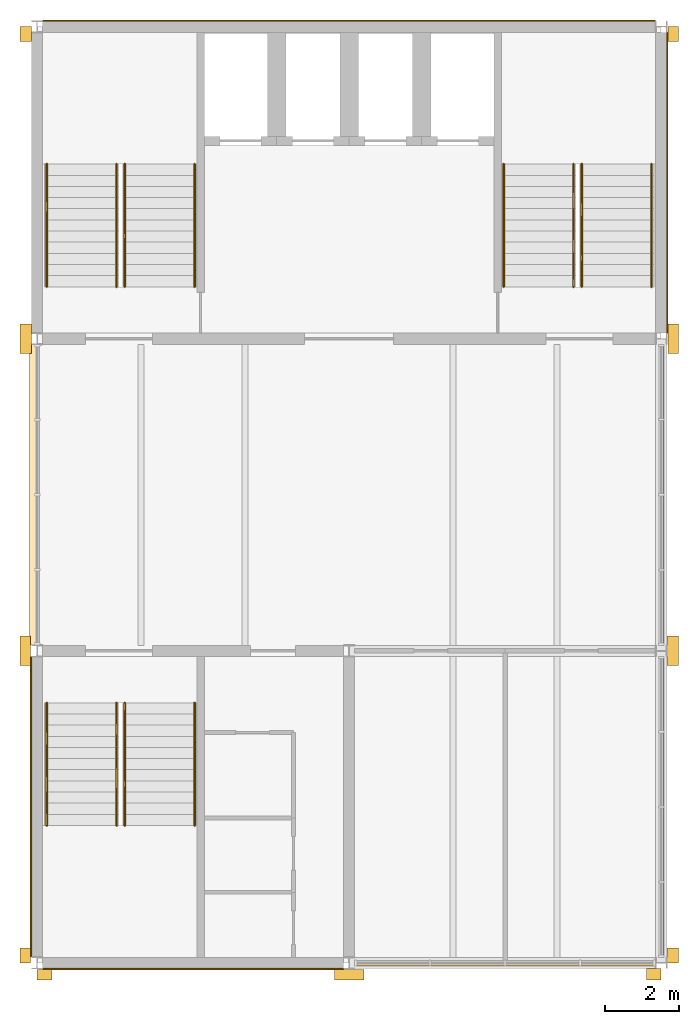
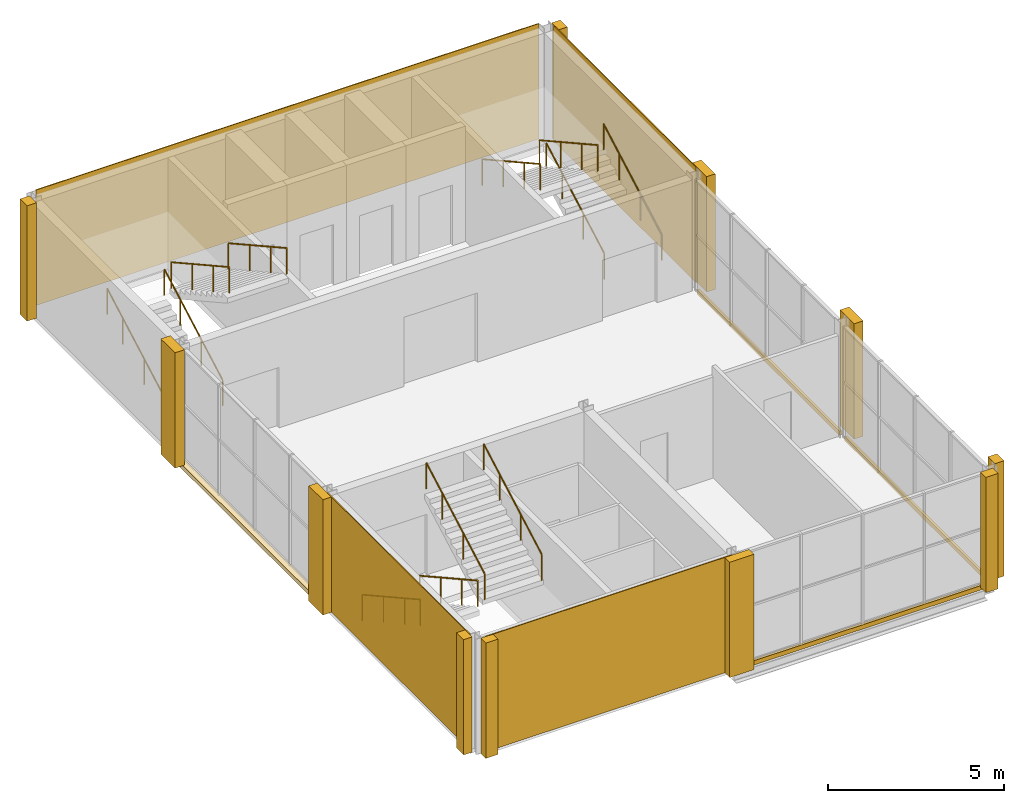
# One storey, part 5 of 5: 19 coverings, 12 railings.
"""IFC4 building model written with IfcOpenShell, lengths in metres."""

from ifc_helpers import new_model, si_unit, direction, frame, origin, origin_2d, place, context, subcontext, project, spatial, rectangle, circle, extrude, material, layer, layer_set, type_object, element, save


model = new_model("IFC4")

# Units and contexts
model_context = context("Model", 3, precision=1e-05, world=origin(), true_north=direction((0.0, 1.0)))
body_context = subcontext(model_context, "Body", "Model", "MODEL_VIEW")
ifc_project = project(units=[si_unit("LENGTHUNIT", "METRE"), si_unit("AREAUNIT", "SQUARE_METRE"), si_unit("VOLUMEUNIT", "CUBIC_METRE"), si_unit("PLANEANGLEUNIT", "RADIAN"), si_unit("MASSUNIT", "GRAM", prefix="KILO")], contexts=[model_context])

# Site, building, storey
site_placement = place(None, origin())
site = spatial("IfcSite", under=ifc_project, at=site_placement, CompositionType="ELEMENT")
building_placement = place(site_placement, origin())
building = spatial("IfcBuilding", under=site, at=building_placement, Name="Galleria Vessillo Department Store", CompositionType="ELEMENT")
storey_placement = place(building_placement, frame((0.0, 0.0, 63.60009765625)))
storey = spatial("IfcBuildingStorey", under=building, at=storey_placement, Name="L14", CompositionType="ELEMENT", Elevation=63.60009765625)

# Coverings
ifc_material_1 = material(Name="Lime plaster (intonaco) ochre")
ifc_layer_1 = layer(ifc_material_1, 0.030029296875)
ifc_layer_set_1 = layer_set([ifc_layer_1], Name="Lime plaster (intonaco) ochre")
covering_type_1 = type_object("IfcCoveringType", Name="Lime plaster render 30 mm", PredefinedType="CLADDING", material=ifc_layer_set_1)
covering_1_placement = place(storey_placement, frame((109.195068359375, 63.1650390625, 0.0), z_axis=(0.0, 0.0, 1.0), x_axis=(1.0, 0.0, 0.0)))
element("IfcCovering", 1, at=covering_1_placement, inside=storey, type_object=covering_type_1, Name="Wall cladding S-CW-TC-PARTY-L14", PredefinedType="CLADDING", context=body_context, shape_type="SweptSolid", body=[
    extrude(rectangle(XDim=16.489990234375, YDim=0.030029296875, at=origin_2d()), origin(), (0.0, 0.0, 1.0), 4.0),
])
ifc_material_2 = material(Name="Botticino limestone ashlar", Category="masonry")
ifc_layer_2 = layer(ifc_material_2, 0.14990234375)
ifc_layer_set_2 = layer_set([ifc_layer_2], Name="Botticino limestone ashlar")
covering_type_2 = type_object("IfcCoveringType", Name="Limestone slab-edge fascia 150 mm", PredefinedType="CLADDING", material=ifc_layer_set_2)
covering_2_placement = place(storey_placement, frame((100.699951171875, 50.39990234375, -0.14990234375), z_axis=(0.0, 0.0, 1.0), x_axis=(1.0, 0.0, 0.0)))
element("IfcCovering", 2, at=covering_2_placement, inside=storey, type_object=covering_type_2, Name="Slab-edge fascia TW-L13-01", PredefinedType="CLADDING", context=body_context, shape_type="SweptSolid", body=[
    extrude(rectangle(XDim=0.199951171875, YDim=8.080078125, at=origin_2d()), origin(), (0.0, 0.0, 1.0), 0.14990234375),
])
covering_3_placement = place(storey_placement, frame((113.39501953125, 37.760009765625, -0.14990234375), z_axis=(0.0, 0.0, 1.0), x_axis=(1.0, 0.0, 0.0)))
element("IfcCovering", 3, at=covering_3_placement, inside=storey, type_object=covering_type_2, Name="Slab-edge fascia TS-L13-01", PredefinedType="CLADDING", context=body_context, shape_type="SweptSolid", body=[
    extrude(rectangle(XDim=8.090087890625, YDim=0.080078125, at=origin_2d()), origin(), (0.0, 0.0, 1.0), 0.14990234375),
])
covering_4_placement = place(storey_placement, frame((117.64013671875, 42.0, -0.14990234375), z_axis=(0.0, 0.0, 1.0), x_axis=(1.0, 0.0, 0.0)))
element("IfcCovering", 4, at=covering_4_placement, inside=storey, type_object=covering_type_2, Name="Slab-edge fascia TE-L13-01", PredefinedType="CLADDING", context=body_context, shape_type="SweptSolid", body=[
    extrude(rectangle(XDim=0.080078125, YDim=8.099853515625, at=origin_2d()), origin(), (0.0, 0.0, 1.0), 0.14990234375),
])
covering_5_placement = place(storey_placement, frame((117.64013671875, 50.39990234375, -0.14990234375), z_axis=(0.0, 0.0, 1.0), x_axis=(1.0, 0.0, 0.0)))
element("IfcCovering", 5, at=covering_5_placement, inside=storey, type_object=covering_type_2, Name="Slab-edge fascia TE-L13-02", PredefinedType="CLADDING", context=body_context, shape_type="SweptSolid", body=[
    extrude(rectangle(XDim=0.080078125, YDim=8.10009765625, at=origin_2d()), origin(), (0.0, 0.0, 1.0), 0.14990234375),
])
ifc_material_3 = material(Name="Botticino limestone ashlar", Category="masonry")
ifc_layer_3 = layer(ifc_material_3, 0.31005859375)
ifc_layer_set_3 = layer_set([ifc_layer_3], Name="Botticino limestone ashlar")
covering_type_3 = type_object("IfcCoveringType", Name="Limestone tower pilaster strip", PredefinedType="CLADDING", material=ifc_layer_set_3)
covering_6_placement = place(storey_placement, frame((100.47998046875, 38.0, 0.0), z_axis=(0.0, 0.0, 1.0), x_axis=(1.0, 0.0, 0.0)))
element("IfcCovering", 6, at=covering_6_placement, inside=storey, type_object=covering_type_3, Name="Tower pilaster strip W L14 37.8", PredefinedType="CLADDING", context=body_context, shape_type="SweptSolid", body=[
    extrude(rectangle(XDim=0.280029296875, YDim=0.39990234375, at=origin_2d()), origin(), (0.0, 0.0, 1.0), 4.0),
])
covering_7_placement = place(storey_placement, frame((100.47998046875, 46.199951171875, 0.0), z_axis=(0.0, 0.0, 1.0), x_axis=(1.0, 0.0, 0.0)))
element("IfcCovering", 7, at=covering_7_placement, inside=storey, type_object=covering_type_3, Name="Tower pilaster strip W L14 46.2", PredefinedType="CLADDING", context=body_context, shape_type="SweptSolid", body=[
    extrude(rectangle(XDim=0.280029296875, YDim=0.800048828125, at=origin_2d()), origin(), (0.0, 0.0, 1.0), 4.0),
])
covering_8_placement = place(storey_placement, frame((100.4951171875, 54.60009765625, 0.0), z_axis=(0.0, 0.0, 1.0), x_axis=(1.0, 0.0, 0.0)))
element("IfcCovering", 8, at=covering_8_placement, inside=storey, type_object=covering_type_3, Name="Tower pilaster strip W L14 54.6", PredefinedType="CLADDING", context=body_context, shape_type="SweptSolid", body=[
    extrude(rectangle(XDim=0.31005859375, YDim=0.800048828125, at=origin_2d()), origin(), (0.0, 0.0, 1.0), 4.0),
])
covering_9_placement = place(storey_placement, frame((100.4951171875, 62.800048828125, 0.0), z_axis=(0.0, 0.0, 1.0), x_axis=(1.0, 0.0, 0.0)))
element("IfcCovering", 9, at=covering_9_placement, inside=storey, type_object=covering_type_3, Name="Tower pilaster strip W L14 63.0", PredefinedType="CLADDING", context=body_context, shape_type="SweptSolid", body=[
    extrude(rectangle(XDim=0.31005859375, YDim=0.39990234375, at=origin_2d()), origin(), (0.0, 0.0, 1.0), 4.0),
])
covering_10_placement = place(storey_placement, frame((117.909912109375, 38.0, 0.0), z_axis=(0.0, 0.0, 1.0), x_axis=(1.0, 0.0, 0.0)))
element("IfcCovering", 10, at=covering_10_placement, inside=storey, type_object=covering_type_3, Name="Tower pilaster strip E L14 37.8", PredefinedType="CLADDING", context=body_context, shape_type="SweptSolid", body=[
    extrude(rectangle(XDim=0.300048828125, YDim=0.39990234375, at=origin_2d()), origin(), (0.0, 0.0, 1.0), 4.0),
])
covering_11_placement = place(storey_placement, frame((117.909912109375, 46.199951171875, 0.0), z_axis=(0.0, 0.0, 1.0), x_axis=(1.0, 0.0, 0.0)))
element("IfcCovering", 11, at=covering_11_placement, inside=storey, type_object=covering_type_3, Name="Tower pilaster strip E L14 46.2", PredefinedType="CLADDING", context=body_context, shape_type="SweptSolid", body=[
    extrude(rectangle(XDim=0.300048828125, YDim=0.800048828125, at=origin_2d()), origin(), (0.0, 0.0, 1.0), 4.0),
])
covering_12_placement = place(storey_placement, frame((117.919921875, 54.60009765625, 0.0), z_axis=(0.0, 0.0, 1.0), x_axis=(1.0, 0.0, 0.0)))
element("IfcCovering", 12, at=covering_12_placement, inside=storey, type_object=covering_type_3, Name="Tower pilaster strip E L14 54.6", PredefinedType="CLADDING", context=body_context, shape_type="SweptSolid", body=[
    extrude(rectangle(XDim=0.280029296875, YDim=0.800048828125, at=origin_2d()), origin(), (0.0, 0.0, 1.0), 4.0),
])
covering_13_placement = place(storey_placement, frame((117.919921875, 62.800048828125, 0.0), z_axis=(0.0, 0.0, 1.0), x_axis=(1.0, 0.0, 0.0)))
element("IfcCovering", 13, at=covering_13_placement, inside=storey, type_object=covering_type_3, Name="Tower pilaster strip E L14 63.0", PredefinedType="CLADDING", context=body_context, shape_type="SweptSolid", body=[
    extrude(rectangle(XDim=0.280029296875, YDim=0.39990234375, at=origin_2d()), origin(), (0.0, 0.0, 1.0), 4.0),
])
covering_14_placement = place(storey_placement, frame((101.0, 37.47998046875, 0.0), z_axis=(0.0, 0.0, 1.0), x_axis=(1.0, 0.0, 0.0)))
element("IfcCovering", 14, at=covering_14_placement, inside=storey, type_object=covering_type_3, Name="Tower pilaster strip S L14 100.8", PredefinedType="CLADDING", context=body_context, shape_type="SweptSolid", body=[
    extrude(rectangle(XDim=0.39990234375, YDim=0.280029296875, at=origin_2d()), origin(), (0.0, 0.0, 1.0), 4.0),
])
covering_15_placement = place(storey_placement, frame((109.199951171875, 37.47998046875, 0.0), z_axis=(0.0, 0.0, 1.0), x_axis=(1.0, 0.0, 0.0)))
element("IfcCovering", 15, at=covering_15_placement, inside=storey, type_object=covering_type_3, Name="Tower pilaster strip S L14 109.2", PredefinedType="CLADDING", context=body_context, shape_type="SweptSolid", body=[
    extrude(rectangle(XDim=0.800048828125, YDim=0.280029296875, at=origin_2d()), origin(), (0.0, 0.0, 1.0), 4.0),
])
covering_16_placement = place(storey_placement, frame((117.400146484375, 37.4951171875, 0.0), z_axis=(0.0, 0.0, 1.0), x_axis=(1.0, 0.0, 0.0)))
element("IfcCovering", 16, at=covering_16_placement, inside=storey, type_object=covering_type_3, Name="Tower pilaster strip S L14 117.6", PredefinedType="CLADDING", context=body_context, shape_type="SweptSolid", body=[
    extrude(rectangle(XDim=0.39990234375, YDim=0.31005859375, at=origin_2d()), origin(), (0.0, 0.0, 1.0), 4.0),
])
ifc_material_4 = material(Name="Botticino limestone ashlar", Category="masonry")
ifc_layer_4 = layer(ifc_material_4, 0.030029296875)
ifc_layer_set_4 = layer_set([ifc_layer_4], Name="Botticino limestone ashlar")
covering_type_4 = type_object("IfcCoveringType", Name="Limestone wall cladding 30 mm", PredefinedType="CLADDING", material=ifc_layer_set_4)
covering_17_placement = place(storey_placement, frame((117.76513671875, 58.800048828125, 0.0), z_axis=(0.0, 0.0, 1.0), x_axis=(1.0, 0.0, 0.0)))
element("IfcCovering", 17, at=covering_17_placement, inside=storey, type_object=covering_type_4, Name="Wall cladding S-CW-TC-EAST-L14", PredefinedType="CLADDING", context=body_context, shape_type="SweptSolid", body=[
    extrude(rectangle(XDim=0.030029296875, YDim=8.099853515625, at=origin_2d()), origin(), (0.0, 0.0, 1.0), 4.0),
])
covering_18_placement = place(storey_placement, frame((105.0, 37.635009765625, 0.0), z_axis=(0.0, 0.0, 1.0), x_axis=(1.0, 0.0, 0.0)))
element("IfcCovering", 18, at=covering_18_placement, inside=storey, type_object=covering_type_4, Name="Wall cladding S-CW-TS-PARTY-L14", PredefinedType="CLADDING", context=body_context, shape_type="SweptSolid", body=[
    extrude(rectangle(XDim=8.099853515625, YDim=0.030029296875, at=origin_2d()), origin(), (0.0, 0.0, 1.0), 4.0),
])
covering_19_placement = place(storey_placement, frame((100.635009765625, 42.0, 0.0), z_axis=(0.0, 0.0, 1.0), x_axis=(1.0, 0.0, 0.0)))
element("IfcCovering", 19, at=covering_19_placement, inside=storey, type_object=covering_type_4, Name="Wall cladding S-CW-TS-WEST-L14", PredefinedType="CLADDING", context=body_context, shape_type="SweptSolid", body=[
    extrude(rectangle(XDim=0.030029296875, YDim=8.079833984375, at=origin_2d()), origin(), (0.0, 0.0, 1.0), 4.0),
])

# Railings
ifc_material_5 = material(Name="Stainless steel tube", Category="steel")
railing_type = type_object("IfcRailingType", Name="Stair handrail steel tube 48 mm", PredefinedType="HANDRAIL", material=ifc_material_5)
for number, where, name in (
    (20, (101.06005859375, 56.0, 0.166748046875), "Handrail ST8 L14 flight 1A"),
    (21, (102.93994140625, 56.0, 0.166748046875), "Handrail ST8 L14 flight 1B"),
):
    element("IfcRailing", number, at=place(storey_placement, frame(where)), inside=storey, type_object=railing_type, Name=name, PredefinedType="HANDRAIL", context=body_context, shape_type="SweptSolid", body=[
        extrude(circle(Radius=0.02392578125, at=origin_2d()), frame((0.0, 0.0, 0.89599609375), z_axis=(0.0, 0.874199221805, 0.485567421267), x_axis=(-1.0, 0.0, 0.0)), (0.0, 0.0, 1.0), 1.37255859375),
        extrude(circle(Radius=0.02392578125, at=origin_2d()), frame((0.0, 1.199951171875, 1.5625), z_axis=(0.0, 0.874123717778, 0.485703331282), x_axis=(-1.0, 0.0, 0.0)), (0.0, 0.0, 1.0), 1.372802734375),
        extrude(circle(Radius=0.02392578125, at=origin_2d()), frame((0.0, 2.39990234375, 2.22900390625), z_axis=(0.0, 0.874190826042, 0.485582536407), x_axis=(-1.0, 0.0, 0.0)), (0.0, 0.0, 1.0), 1.02978515625),
        extrude(circle(Radius=0.02099609375, at=origin_2d()), origin(), (0.0, 0.0, 1.0), 0.871826171875),
        extrude(circle(Radius=0.02099609375, at=origin_2d()), frame((0.0, 1.199951171875, 0.66650390625)), (0.0, 0.0, 1.0), 0.871826171875),
        extrude(circle(Radius=0.02099609375, at=origin_2d()), frame((0.0, 2.39990234375, 1.333251953125)), (0.0, 0.0, 1.0), 0.871826171875),
        extrude(circle(Radius=0.02099609375, at=origin_2d()), frame((0.0, 3.300048828125, 1.833251953125)), (0.0, 0.0, 1.0), 0.871826171875),
    ])
for number, where, name in (
    (22, (105.0400390625, 59.300048828125, 2.166748046875), "Handrail ST8 L14 flight 2A"),
    (23, (103.16015625, 59.300048828125, 2.166748046875), "Handrail ST8 L14 flight 2B"),
):
    element("IfcRailing", number, at=place(storey_placement, frame(where)), inside=storey, type_object=railing_type, Name=name, PredefinedType="HANDRAIL", context=body_context, shape_type="SweptSolid", body=[
        extrude(circle(Radius=0.02392578125, at=origin_2d()), frame((0.0, 0.0, 0.89599609375), z_axis=(0.0, -0.874199221805, 0.485567421267), x_axis=(1.0, 0.0, 0.0)), (0.0, 0.0, 1.0), 1.37255859375),
        extrude(circle(Radius=0.02392578125, at=origin_2d()), frame((0.0, -1.199951171875, 1.5625), z_axis=(0.0, -0.874123717778, 0.485703331282), x_axis=(1.0, 0.0, 0.0)), (0.0, 0.0, 1.0), 1.372802734375),
        extrude(circle(Radius=0.02392578125, at=origin_2d()), frame((0.0, -2.39990234375, 2.22900390625), z_axis=(0.0, -0.874190826042, 0.485582536407), x_axis=(1.0, 0.0, 0.0)), (0.0, 0.0, 1.0), 1.02978515625),
        extrude(circle(Radius=0.02099609375, at=origin_2d()), origin(), (0.0, 0.0, 1.0), 0.871826171875),
        extrude(circle(Radius=0.02099609375, at=origin_2d()), frame((0.0, -1.199951171875, 0.66650390625)), (0.0, 0.0, 1.0), 0.871826171875),
        extrude(circle(Radius=0.02099609375, at=origin_2d()), frame((0.0, -2.39990234375, 1.333251953125)), (0.0, 0.0, 1.0), 0.871826171875),
        extrude(circle(Radius=0.02099609375, at=origin_2d()), frame((0.0, -3.300048828125, 1.833251953125)), (0.0, 0.0, 1.0), 0.871826171875),
    ])
for number, where, name in (
    (24, (115.4599609375, 56.0, 0.166748046875), "Handrail ST9 L14 flight 1A"),
    (25, (117.33984375, 56.0, 0.166748046875), "Handrail ST9 L14 flight 1B"),
):
    element("IfcRailing", number, at=place(storey_placement, frame(where)), inside=storey, type_object=railing_type, Name=name, PredefinedType="HANDRAIL", context=body_context, shape_type="SweptSolid", body=[
        extrude(circle(Radius=0.02392578125, at=origin_2d()), frame((0.0, 0.0, 0.89599609375), z_axis=(0.0, 0.874199221805, 0.485567421267), x_axis=(-1.0, 0.0, 0.0)), (0.0, 0.0, 1.0), 1.37255859375),
        extrude(circle(Radius=0.02392578125, at=origin_2d()), frame((0.0, 1.199951171875, 1.5625), z_axis=(0.0, 0.874123717778, 0.485703331282), x_axis=(-1.0, 0.0, 0.0)), (0.0, 0.0, 1.0), 1.372802734375),
        extrude(circle(Radius=0.02392578125, at=origin_2d()), frame((0.0, 2.39990234375, 2.22900390625), z_axis=(0.0, 0.874190826042, 0.485582536407), x_axis=(-1.0, 0.0, 0.0)), (0.0, 0.0, 1.0), 1.02978515625),
        extrude(circle(Radius=0.02099609375, at=origin_2d()), origin(), (0.0, 0.0, 1.0), 0.871826171875),
        extrude(circle(Radius=0.02099609375, at=origin_2d()), frame((0.0, 1.199951171875, 0.66650390625)), (0.0, 0.0, 1.0), 0.871826171875),
        extrude(circle(Radius=0.02099609375, at=origin_2d()), frame((0.0, 2.39990234375, 1.333251953125)), (0.0, 0.0, 1.0), 0.871826171875),
        extrude(circle(Radius=0.02099609375, at=origin_2d()), frame((0.0, 3.300048828125, 1.833251953125)), (0.0, 0.0, 1.0), 0.871826171875),
    ])
for number, where, name in (
    (26, (115.239990234375, 59.300048828125, 2.166748046875), "Handrail ST9 L14 flight 2A"),
    (27, (113.360107421875, 59.300048828125, 2.166748046875), "Handrail ST9 L14 flight 2B"),
    (28, (102.93994140625, 44.800048828125, 0.166748046875), "Handrail ST12 L14 flight 1A"),
    (29, (101.06005859375, 44.800048828125, 0.166748046875), "Handrail ST12 L14 flight 1B"),
):
    element("IfcRailing", number, at=place(storey_placement, frame(where)), inside=storey, type_object=railing_type, Name=name, PredefinedType="HANDRAIL", context=body_context, shape_type="SweptSolid", body=[
        extrude(circle(Radius=0.02392578125, at=origin_2d()), frame((0.0, 0.0, 0.89599609375), z_axis=(0.0, -0.874199221805, 0.485567421267), x_axis=(1.0, 0.0, 0.0)), (0.0, 0.0, 1.0), 1.37255859375),
        extrude(circle(Radius=0.02392578125, at=origin_2d()), frame((0.0, -1.199951171875, 1.5625), z_axis=(0.0, -0.874123717778, 0.485703331282), x_axis=(1.0, 0.0, 0.0)), (0.0, 0.0, 1.0), 1.372802734375),
        extrude(circle(Radius=0.02392578125, at=origin_2d()), frame((0.0, -2.39990234375, 2.22900390625), z_axis=(0.0, -0.874190826042, 0.485582536407), x_axis=(1.0, 0.0, 0.0)), (0.0, 0.0, 1.0), 1.02978515625),
        extrude(circle(Radius=0.02099609375, at=origin_2d()), origin(), (0.0, 0.0, 1.0), 0.871826171875),
        extrude(circle(Radius=0.02099609375, at=origin_2d()), frame((0.0, -1.199951171875, 0.66650390625)), (0.0, 0.0, 1.0), 0.871826171875),
        extrude(circle(Radius=0.02099609375, at=origin_2d()), frame((0.0, -2.39990234375, 1.333251953125)), (0.0, 0.0, 1.0), 0.871826171875),
        extrude(circle(Radius=0.02099609375, at=origin_2d()), frame((0.0, -3.300048828125, 1.833251953125)), (0.0, 0.0, 1.0), 0.871826171875),
    ])
for number, where, name in (
    (30, (103.16015625, 41.5, 2.166748046875), "Handrail ST12 L14 flight 2A"),
    (31, (105.0400390625, 41.5, 2.166748046875), "Handrail ST12 L14 flight 2B"),
):
    element("IfcRailing", number, at=place(storey_placement, frame(where)), inside=storey, type_object=railing_type, Name=name, PredefinedType="HANDRAIL", context=body_context, shape_type="SweptSolid", body=[
        extrude(circle(Radius=0.02392578125, at=origin_2d()), frame((0.0, 0.0, 0.89599609375), z_axis=(0.0, 0.874199221805, 0.485567421267), x_axis=(-1.0, 0.0, 0.0)), (0.0, 0.0, 1.0), 1.37255859375),
        extrude(circle(Radius=0.02392578125, at=origin_2d()), frame((0.0, 1.199951171875, 1.5625), z_axis=(0.0, 0.874123717778, 0.485703331282), x_axis=(-1.0, 0.0, 0.0)), (0.0, 0.0, 1.0), 1.372802734375),
        extrude(circle(Radius=0.02392578125, at=origin_2d()), frame((0.0, 2.39990234375, 2.22900390625), z_axis=(0.0, 0.874190826042, 0.485582536407), x_axis=(-1.0, 0.0, 0.0)), (0.0, 0.0, 1.0), 1.02978515625),
        extrude(circle(Radius=0.02099609375, at=origin_2d()), origin(), (0.0, 0.0, 1.0), 0.871826171875),
        extrude(circle(Radius=0.02099609375, at=origin_2d()), frame((0.0, 1.199951171875, 0.66650390625)), (0.0, 0.0, 1.0), 0.871826171875),
        extrude(circle(Radius=0.02099609375, at=origin_2d()), frame((0.0, 2.39990234375, 1.333251953125)), (0.0, 0.0, 1.0), 0.871826171875),
        extrude(circle(Radius=0.02099609375, at=origin_2d()), frame((0.0, 3.300048828125, 1.833251953125)), (0.0, 0.0, 1.0), 0.871826171875),
    ])

save(model, "model.ifc")
